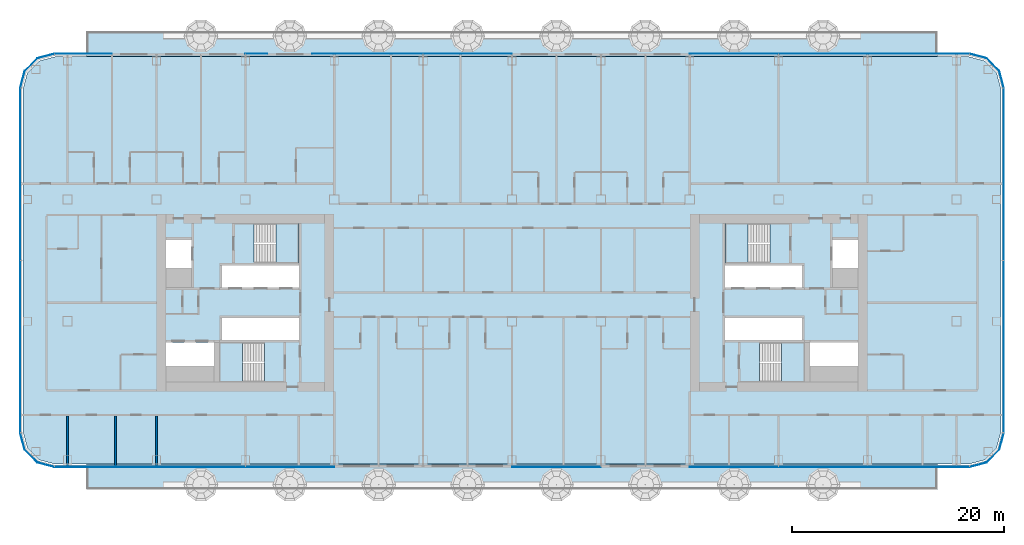
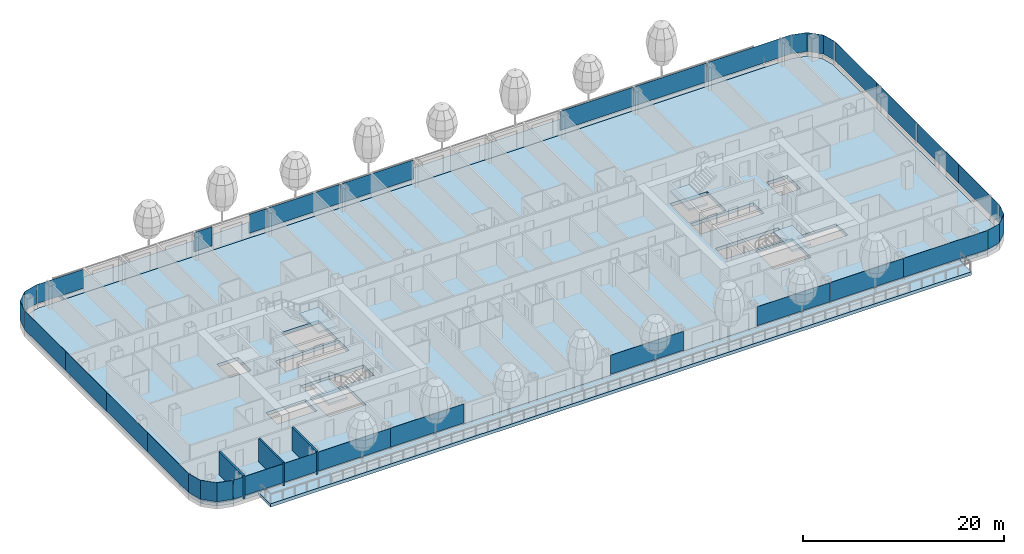
# One storey, part 12 of 34: 27 plates, 7 slabs, 3 walls, 12 elements without a shape of their own.
"""IFC4 building model written with IfcOpenShell, lengths in metres."""

from ifc_helpers import new_model, si_unit, direction, frame, frame_2d, origin, origin_2d, place, context, subcontext, project, spatial, polyline, rectangle, outline, extrude, material, layer, layer_set, type_object, element, aggregate, save


model = new_model("IFC4")

# Units and contexts
model_context = context("Model", 3, precision=1e-05, world=origin(), true_north=direction((0.0, 1.0)))
body_context = subcontext(model_context, "Body", "Model", "MODEL_VIEW")
ifc_project = project(units=[si_unit("LENGTHUNIT", "METRE"), si_unit("AREAUNIT", "SQUARE_METRE"), si_unit("VOLUMEUNIT", "CUBIC_METRE"), si_unit("PLANEANGLEUNIT", "RADIAN"), si_unit("MASSUNIT", "GRAM", prefix="KILO")], contexts=[model_context])

# Site, building, storey
site_placement = place(None, origin())
site = spatial("IfcSite", under=ifc_project, at=site_placement, CompositionType="ELEMENT")
building_placement = place(site_placement, origin())
building = spatial("IfcBuilding", under=site, at=building_placement, Name="Hakoniwa Tower and Hamabe Station Hall", CompositionType="ELEMENT")
storey_placement = place(building_placement, frame((0.0, 0.0, 94.60009765625)))
storey = spatial("IfcBuildingStorey", under=building, at=storey_placement, Name="L26", CompositionType="ELEMENT", Elevation=94.60009765625)

# Slabs
ifc_material_1 = material(Name="Concrete C42", Category="concrete")
ifc_layer_1 = layer(ifc_material_1, 0.25)
ifc_layer_set_1 = layer_set([ifc_layer_1], Name="BALCONY SLAB 250")
slab_type_1 = type_object("IfcSlabType", Name="BALCONY SLAB 250", PredefinedType="FLOOR", material=ifc_layer_set_1)
slab_1_placement = place(storey_placement, frame((0.0, 0.0, -0.400146484375)))
element("IfcSlab", 1, at=slab_1_placement, inside=storey, type_object=slab_type_1, Name="Balcony slab L26 BAL-L26-N", PredefinedType="FLOOR", context=body_context, shape_type="SweptSolid", body=[
    extrude(outline(polyline([(-40.199951171875, 23.25), (40.199951171875, 23.25), (40.199951171875, 25.64990234375), (-40.199951171875, 25.64990234375), (-40.199951171875, 23.25)])), origin(), (0.0, 0.0, 1.0), 0.400146484375),
])
slab_2_placement = place(storey_placement, frame((0.0, 0.0, -0.400146484375)))
element("IfcSlab", 2, at=slab_2_placement, inside=storey, type_object=slab_type_1, Name="Balcony slab L26 BAL-L26-S", PredefinedType="FLOOR", context=body_context, shape_type="SweptSolid", body=[
    extrude(outline(polyline([(-40.199951171875, -17.64990234375), (40.199951171875, -17.64990234375), (40.199951171875, -15.25), (-40.199951171875, -15.25), (-40.199951171875, -17.64990234375)])), origin(), (0.0, 0.0, 1.0), 0.400146484375),
])

# Stair, slab
ifc_material_2 = material(Name="Concrete C40", Category="concrete")
stair_type = type_object("IfcStairType", Name="ESCAPE STAIR 1800", PredefinedType="HALF_TURN_STAIR", material=ifc_material_2)
stair_1_placement = place(storey_placement, origin())
stair_1 = element("IfcStair", 3, at=stair_1_placement, inside=storey, type_object=stair_type, Name="Escape stair ST-1 L26", PredefinedType="HALF_TURN_STAIR")
ifc_material_3 = material(Name="Concrete C40", Category="concrete")
ifc_layer_2 = layer(ifc_material_3, 0.25)
ifc_layer_set_2 = layer_set([ifc_layer_2], Name="CORE STAIR LANDING 250")
slab_type_2 = type_object("IfcSlabType", Name="CORE STAIR LANDING 250", PredefinedType="LANDING", material=ifc_layer_set_2)
slab_3_placement = place(storey_placement, frame((0.0, 0.0, 1.349853515625)))
slab_3 = element("IfcSlab", 4, at=slab_3_placement, type_object=slab_type_2, Name="ST-1 landing 1", PredefinedType="LANDING", context=body_context, shape_type="SweptSolid", body=[
    extrude(outline(polyline([(-22.320068359375, 3.75), (-20.14990234375, 3.75), (-20.14990234375, 7.5), (-22.320068359375, 7.5), (-22.320068359375, 3.75)])), origin(), (0.0, 0.0, 1.0), 0.25),
])
aggregate(stair_1, [slab_3])

stair_2_placement = place(storey_placement, origin())
stair_2 = element("IfcStair", 5, at=stair_2_placement, inside=storey, type_object=stair_type, Name="Escape stair ST-2 L26", PredefinedType="HALF_TURN_STAIR")
slab_4_placement = place(storey_placement, frame((0.0, 0.0, 1.349853515625)))
slab_4 = element("IfcSlab", 6, at=slab_4_placement, type_object=slab_type_2, Name="ST-2 landing 1", PredefinedType="LANDING", context=body_context, shape_type="SweptSolid", body=[
    extrude(outline(polyline([(-25.47998046875, -7.5), (-27.64990234375, -7.5), (-27.64990234375, -3.75), (-25.47998046875, -3.75), (-25.47998046875, -7.5)])), origin(), (0.0, 0.0, 1.0), 0.25),
])
aggregate(stair_2, [slab_4])

stair_3_placement = place(storey_placement, origin())
stair_3 = element("IfcStair", 7, at=stair_3_placement, inside=storey, type_object=stair_type, Name="Escape stair ST-3 L26", PredefinedType="HALF_TURN_STAIR")
slab_5_placement = place(storey_placement, frame((0.0, 0.0, 1.349853515625)))
slab_5 = element("IfcSlab", 8, at=slab_5_placement, type_object=slab_type_2, Name="ST-3 landing 1", PredefinedType="LANDING", context=body_context, shape_type="SweptSolid", body=[
    extrude(outline(polyline([(22.320068359375, 3.75), (20.14990234375, 3.75), (20.14990234375, 7.5), (22.320068359375, 7.5), (22.320068359375, 3.75)])), origin(), (0.0, 0.0, 1.0), 0.25),
])
aggregate(stair_3, [slab_5])

stair_4_placement = place(storey_placement, origin())
stair_4 = element("IfcStair", 9, at=stair_4_placement, inside=storey, type_object=stair_type, Name="Escape stair ST-4 L26", PredefinedType="HALF_TURN_STAIR")
slab_6_placement = place(storey_placement, frame((0.0, 0.0, 1.349853515625)))
slab_6 = element("IfcSlab", 10, at=slab_6_placement, type_object=slab_type_2, Name="ST-4 landing 1", PredefinedType="LANDING", context=body_context, shape_type="SweptSolid", body=[
    extrude(outline(polyline([(25.47998046875, -7.5), (27.64990234375, -7.5), (27.64990234375, -3.75), (25.47998046875, -3.75), (25.47998046875, -7.5)])), origin(), (0.0, 0.0, 1.0), 0.25),
])
aggregate(stair_4, [slab_6])

# Curtain wall, plates
ifc_material_4 = material(Name="Dark low-e laminated glass", Category="glass")
ifc_layer_3 = layer(ifc_material_4, 0.199951171875)
ifc_layer_set_3 = layer_set([ifc_layer_3], Name="CW-1 UNITISED GUEST")
curtain_wall_type = type_object("IfcCurtainWallType", Name="CW-1 UNITISED GUEST", PredefinedType="NOTDEFINED", material=ifc_layer_set_3)
curtain_wall_1_placement = place(storey_placement, origin())
curtain_wall_1 = element("IfcCurtainWall", 11, at=curtain_wall_1_placement, inside=storey, type_object=curtain_wall_type, Name="CW-1 curtain wall", PredefinedType="NOTDEFINED")
ifc_material_5 = material(Name="Dark low-e laminated glass", Category="glass")
ifc_layer_4 = layer(ifc_material_5, 0.028076171875)
ifc_layer_set_4 = layer_set([ifc_layer_4], Name="CW-1 GLASS UNIT")
plate_type = type_object("IfcPlateType", Name="CW-1 GLASS UNIT", PredefinedType="CURTAIN_PANEL", material=ifc_layer_set_4)
plate_1_placement = place(storey_placement, frame((46.486083984375, -8.217041015625, 0.35009765625), z_axis=(0.0, 0.0, 1.0), x_axis=(0.0, 1.0, 0.0)))
plate_1 = element("IfcPlate", 12, at=plate_1_placement, type_object=plate_type, Name="CW-1 glass unit", PredefinedType="CURTAIN_PANEL", context=body_context, shape_type="SweptSolid", body=[
    extrude(rectangle(XDim=8.124755859375, YDim=0.028076171875, at=origin_2d()), origin(), (0.0, 0.0, 1.0), 2.300048828125),
])
plate_2_placement = place(storey_placement, frame((46.486083984375, -0.072265625, 0.35009765625), z_axis=(0.0, 0.0, 1.0), x_axis=(0.0, 1.0, 0.0)))
plate_2 = element("IfcPlate", 13, at=plate_2_placement, type_object=plate_type, Name="CW-1 glass unit", PredefinedType="CURTAIN_PANEL", context=body_context, shape_type="SweptSolid", body=[
    extrude(rectangle(XDim=8.124755859375, YDim=0.028076171875, at=origin_2d()), origin(), (0.0, 0.0, 1.0), 2.300048828125),
])
plate_3_placement = place(storey_placement, frame((46.486083984375, 8.072265625, 0.35009765625), z_axis=(0.0, 0.0, 1.0), x_axis=(0.0, 1.0, 0.0)))
plate_3 = element("IfcPlate", 14, at=plate_3_placement, type_object=plate_type, Name="CW-1 glass unit", PredefinedType="CURTAIN_PANEL", context=body_context, shape_type="SweptSolid", body=[
    extrude(rectangle(XDim=8.124755859375, YDim=0.028076171875, at=origin_2d()), origin(), (0.0, 0.0, 1.0), 2.300048828125),
])
plate_4_placement = place(storey_placement, frame((46.486083984375, 16.217041015625, 0.35009765625), z_axis=(0.0, 0.0, 1.0), x_axis=(0.0, 1.0, 0.0)))
plate_4 = element("IfcPlate", 15, at=plate_4_placement, type_object=plate_type, Name="CW-1 glass unit", PredefinedType="CURTAIN_PANEL", context=body_context, shape_type="SweptSolid", body=[
    extrude(rectangle(XDim=8.124755859375, YDim=0.028076171875, at=origin_2d()), origin(), (0.0, 0.0, 1.0), 2.300048828125),
])
aggregate(curtain_wall_1, [plate_1, plate_2, plate_3, plate_4])

# Curtain wall, plate
curtain_wall_2_placement = place(storey_placement, origin())
curtain_wall_2 = element("IfcCurtainWall", 16, at=curtain_wall_2_placement, inside=storey, type_object=curtain_wall_type, Name="CW-1 curtain wall", PredefinedType="NOTDEFINED")
plate_5_placement = place(storey_placement, frame((0.0, 0.0, 0.349853515625)))
plate_5 = element("IfcPlate", 17, at=plate_5_placement, type_object=plate_type, Name="CW-1 curved corner unit", PredefinedType="CURTAIN_PANEL", context=body_context, shape_type="SweptSolid", body=[
    extrude(outline(polyline([(46.48974609375, 20.328125), (46.067138671875, 21.9052734375), (44.855224609375, 23.116943359375), (43.278076171875, 23.53955078125), (43.27099609375, 23.5126953125), (44.8408203125, 23.092041015625), (46.0419921875, 21.890869140625), (46.462646484375, 20.32080078125), (46.48974609375, 20.328125)])), origin(), (0.0, 0.0, 1.0), 2.300048828125),
])
aggregate(curtain_wall_2, [plate_5])

# Curtain wall, plates
curtain_wall_3_placement = place(storey_placement, origin())
curtain_wall_3 = element("IfcCurtainWall", 18, at=curtain_wall_3_placement, inside=storey, type_object=curtain_wall_type, Name="CW-1 curtain wall", PredefinedType="NOTDEFINED")
plate_6_placement = place(storey_placement, frame((38.419677734375, 23.535888671875, 0.35009765625), z_axis=(0.0, 0.0, 1.0), x_axis=(-1.0, 0.0, 0.0)))
plate_6 = element("IfcPlate", 19, at=plate_6_placement, type_object=plate_type, Name="CW-1 glass unit", PredefinedType="CURTAIN_PANEL", context=body_context, shape_type="SweptSolid", body=[
    extrude(rectangle(XDim=9.619384765625, YDim=0.028076171875, at=origin_2d()), origin(), (0.0, 0.0, 1.0), 2.300048828125),
])
plate_7_placement = place(storey_placement, frame((29.39990234375, 23.535888671875, 0.35009765625), z_axis=(0.0, 0.0, 1.0), x_axis=(-1.0, 0.0, 0.0)))
plate_7 = element("IfcPlate", 20, at=plate_7_placement, type_object=plate_type, Name="CW-1 glass unit", PredefinedType="CURTAIN_PANEL", context=body_context, shape_type="SweptSolid", body=[
    extrude(rectangle(XDim=8.3798828125, YDim=0.028076171875, at=origin_2d()), origin(), (0.0, 0.0, 1.0), 2.300048828125),
])
plate_8_placement = place(storey_placement, frame((21.0, 23.535888671875, 0.35009765625), z_axis=(0.0, 0.0, 1.0), x_axis=(-1.0, 0.0, 0.0)))
plate_8 = element("IfcPlate", 21, at=plate_8_placement, type_object=plate_type, Name="CW-1 glass unit", PredefinedType="CURTAIN_PANEL", context=body_context, shape_type="SweptSolid", body=[
    extrude(rectangle(XDim=8.3798828125, YDim=0.028076171875, at=origin_2d()), origin(), (0.0, 0.0, 1.0), 2.300048828125),
])
plate_9_placement = place(storey_placement, frame((-4.199951171875, 23.535888671875, 0.35009765625), z_axis=(0.0, 0.0, 1.0), x_axis=(-1.0, 0.0, 0.0)))
plate_9 = element("IfcPlate", 22, at=plate_9_placement, type_object=plate_type, Name="CW-1 glass unit", PredefinedType="CURTAIN_PANEL", context=body_context, shape_type="SweptSolid", body=[
    extrude(rectangle(XDim=8.3798828125, YDim=0.028076171875, at=origin_2d()), origin(), (0.0, 0.0, 1.0), 2.300048828125),
])
plate_10_placement = place(storey_placement, frame((-12.60009765625, 23.535888671875, 0.35009765625), z_axis=(0.0, 0.0, 1.0), x_axis=(-1.0, 0.0, 0.0)))
plate_10 = element("IfcPlate", 23, at=plate_10_placement, type_object=plate_type, Name="CW-1 glass unit", PredefinedType="CURTAIN_PANEL", context=body_context, shape_type="SweptSolid", body=[
    extrude(rectangle(XDim=8.3798828125, YDim=0.028076171875, at=origin_2d()), origin(), (0.0, 0.0, 1.0), 2.300048828125),
])
plate_11_placement = place(storey_placement, frame((-17.85009765625, 23.535888671875, 0.35009765625), z_axis=(0.0, 0.0, 1.0), x_axis=(-1.0, 0.0, 0.0)))
plate_11 = element("IfcPlate", 24, at=plate_11_placement, type_object=plate_type, Name="CW-1 glass unit", PredefinedType="CURTAIN_PANEL", context=body_context, shape_type="SweptSolid", body=[
    extrude(rectangle(XDim=2.080078125, YDim=0.028076171875, at=origin_2d()), origin(), (0.0, 0.0, 1.0), 2.300048828125),
])
plate_12_placement = place(storey_placement, frame((-24.14990234375, 23.535888671875, 0.35009765625), z_axis=(0.0, 0.0, 1.0), x_axis=(-1.0, 0.0, 0.0)))
plate_12 = element("IfcPlate", 25, at=plate_12_placement, type_object=plate_type, Name="CW-1 glass unit", PredefinedType="CURTAIN_PANEL", context=body_context, shape_type="SweptSolid", body=[
    extrude(rectangle(XDim=2.080078125, YDim=0.028076171875, at=origin_2d()), origin(), (0.0, 0.0, 1.0), 2.300048828125),
])
plate_13_placement = place(storey_placement, frame((-40.53466796875, 23.535888671875, 0.35009765625), z_axis=(0.0, 0.0, 1.0), x_axis=(-1.0, 0.0, 0.0)))
plate_13 = element("IfcPlate", 26, at=plate_13_placement, type_object=plate_type, Name="CW-1 glass unit", PredefinedType="CURTAIN_PANEL", context=body_context, shape_type="SweptSolid", body=[
    extrude(rectangle(XDim=5.389404296875, YDim=0.028076171875, at=origin_2d()), origin(), (0.0, 0.0, 1.0), 2.300048828125),
])
aggregate(curtain_wall_3, [plate_6, plate_7, plate_8, plate_9, plate_10, plate_11, plate_12, plate_13])

# Curtain wall, plate
curtain_wall_4_placement = place(storey_placement, origin())
curtain_wall_4 = element("IfcCurtainWall", 27, at=curtain_wall_4_placement, inside=storey, type_object=curtain_wall_type, Name="CW-1 curtain wall", PredefinedType="NOTDEFINED")
plate_14_placement = place(storey_placement, frame((0.0, 0.0, 0.349853515625)))
plate_14 = element("IfcPlate", 28, at=plate_14_placement, type_object=plate_type, Name="CW-1 curved corner unit", PredefinedType="CURTAIN_PANEL", context=body_context, shape_type="SweptSolid", body=[
    extrude(outline(polyline([(-43.278076171875, 23.53955078125), (-44.855224609375, 23.116943359375), (-46.067138671875, 21.9052734375), (-46.48974609375, 20.328125), (-46.462646484375, 20.32080078125), (-46.0419921875, 21.890869140625), (-44.8408203125, 23.092041015625), (-43.27099609375, 23.5126953125), (-43.278076171875, 23.53955078125)])), origin(), (0.0, 0.0, 1.0), 2.300048828125),
])
aggregate(curtain_wall_4, [plate_14])

# Curtain wall, plates
curtain_wall_5_placement = place(storey_placement, origin())
curtain_wall_5 = element("IfcCurtainWall", 29, at=curtain_wall_5_placement, inside=storey, type_object=curtain_wall_type, Name="CW-1 curtain wall", PredefinedType="NOTDEFINED")
plate_15_placement = place(storey_placement, frame((-46.486083984375, 16.217041015625, 0.35009765625), z_axis=(0.0, 0.0, 1.0), x_axis=(0.0, -1.0, 0.0)))
plate_15 = element("IfcPlate", 30, at=plate_15_placement, type_object=plate_type, Name="CW-1 glass unit", PredefinedType="CURTAIN_PANEL", context=body_context, shape_type="SweptSolid", body=[
    extrude(rectangle(XDim=8.124755859375, YDim=0.028076171875, at=origin_2d()), origin(), (0.0, 0.0, 1.0), 2.300048828125),
])
plate_16_placement = place(storey_placement, frame((-46.486083984375, 8.072265625, 0.35009765625), z_axis=(0.0, 0.0, 1.0), x_axis=(0.0, -1.0, 0.0)))
plate_16 = element("IfcPlate", 31, at=plate_16_placement, type_object=plate_type, Name="CW-1 glass unit", PredefinedType="CURTAIN_PANEL", context=body_context, shape_type="SweptSolid", body=[
    extrude(rectangle(XDim=8.124755859375, YDim=0.028076171875, at=origin_2d()), origin(), (0.0, 0.0, 1.0), 2.300048828125),
])
plate_17_placement = place(storey_placement, frame((-46.486083984375, -0.072265625, 0.35009765625), z_axis=(0.0, 0.0, 1.0), x_axis=(0.0, -1.0, 0.0)))
plate_17 = element("IfcPlate", 32, at=plate_17_placement, type_object=plate_type, Name="CW-1 glass unit", PredefinedType="CURTAIN_PANEL", context=body_context, shape_type="SweptSolid", body=[
    extrude(rectangle(XDim=8.124755859375, YDim=0.028076171875, at=origin_2d()), origin(), (0.0, 0.0, 1.0), 2.300048828125),
])
plate_18_placement = place(storey_placement, frame((-46.486083984375, -8.217041015625, 0.35009765625), z_axis=(0.0, 0.0, 1.0), x_axis=(0.0, -1.0, 0.0)))
plate_18 = element("IfcPlate", 33, at=plate_18_placement, type_object=plate_type, Name="CW-1 glass unit", PredefinedType="CURTAIN_PANEL", context=body_context, shape_type="SweptSolid", body=[
    extrude(rectangle(XDim=8.124755859375, YDim=0.028076171875, at=origin_2d()), origin(), (0.0, 0.0, 1.0), 2.300048828125),
])
aggregate(curtain_wall_5, [plate_15, plate_16, plate_17, plate_18])

# Curtain wall, plate
curtain_wall_6_placement = place(storey_placement, origin())
curtain_wall_6 = element("IfcCurtainWall", 34, at=curtain_wall_6_placement, inside=storey, type_object=curtain_wall_type, Name="CW-1 curtain wall", PredefinedType="NOTDEFINED")
plate_19_placement = place(storey_placement, frame((0.0, 0.0, 0.349853515625)))
plate_19 = element("IfcPlate", 35, at=plate_19_placement, type_object=plate_type, Name="CW-1 curved corner unit", PredefinedType="CURTAIN_PANEL", context=body_context, shape_type="SweptSolid", body=[
    extrude(outline(polyline([(-46.48974609375, -12.328125), (-46.067138671875, -13.9052734375), (-44.855224609375, -15.116943359375), (-43.278076171875, -15.53955078125), (-43.27099609375, -15.5126953125), (-44.8408203125, -15.092041015625), (-46.0419921875, -13.890869140625), (-46.462646484375, -12.32080078125), (-46.48974609375, -12.328125)])), origin(), (0.0, 0.0, 1.0), 2.300048828125),
])
aggregate(curtain_wall_6, [plate_19])

# Curtain wall, plates
curtain_wall_7_placement = place(storey_placement, origin())
curtain_wall_7 = element("IfcCurtainWall", 36, at=curtain_wall_7_placement, inside=storey, type_object=curtain_wall_type, Name="CW-1 curtain wall", PredefinedType="NOTDEFINED")
plate_20_placement = place(storey_placement, frame((-38.419677734375, -15.535888671875, 0.35009765625), z_axis=(0.0, 0.0, 1.0), x_axis=(1.0, 0.0, 0.0)))
plate_20 = element("IfcPlate", 37, at=plate_20_placement, type_object=plate_type, Name="CW-1 glass unit", PredefinedType="CURTAIN_PANEL", context=body_context, shape_type="SweptSolid", body=[
    extrude(rectangle(XDim=9.619384765625, YDim=0.028076171875, at=origin_2d()), origin(), (0.0, 0.0, 1.0), 2.300048828125),
])
plate_21_placement = place(storey_placement, frame((-29.39990234375, -15.535888671875, 0.35009765625), z_axis=(0.0, 0.0, 1.0), x_axis=(1.0, 0.0, 0.0)))
plate_21 = element("IfcPlate", 38, at=plate_21_placement, type_object=plate_type, Name="CW-1 glass unit", PredefinedType="CURTAIN_PANEL", context=body_context, shape_type="SweptSolid", body=[
    extrude(rectangle(XDim=8.3798828125, YDim=0.028076171875, at=origin_2d()), origin(), (0.0, 0.0, 1.0), 2.300048828125),
])
plate_22_placement = place(storey_placement, frame((-21.0, -15.535888671875, 0.35009765625), z_axis=(0.0, 0.0, 1.0), x_axis=(1.0, 0.0, 0.0)))
plate_22 = element("IfcPlate", 39, at=plate_22_placement, type_object=plate_type, Name="CW-1 glass unit", PredefinedType="CURTAIN_PANEL", context=body_context, shape_type="SweptSolid", body=[
    extrude(rectangle(XDim=8.3798828125, YDim=0.028076171875, at=origin_2d()), origin(), (0.0, 0.0, 1.0), 2.300048828125),
])
plate_23_placement = place(storey_placement, frame((4.199951171875, -15.535888671875, 0.35009765625), z_axis=(0.0, 0.0, 1.0), x_axis=(1.0, 0.0, 0.0)))
plate_23 = element("IfcPlate", 40, at=plate_23_placement, type_object=plate_type, Name="CW-1 glass unit", PredefinedType="CURTAIN_PANEL", context=body_context, shape_type="SweptSolid", body=[
    extrude(rectangle(XDim=8.3798828125, YDim=0.028076171875, at=origin_2d()), origin(), (0.0, 0.0, 1.0), 2.300048828125),
])
plate_24_placement = place(storey_placement, frame((21.0, -15.535888671875, 0.35009765625), z_axis=(0.0, 0.0, 1.0), x_axis=(1.0, 0.0, 0.0)))
plate_24 = element("IfcPlate", 41, at=plate_24_placement, type_object=plate_type, Name="CW-1 glass unit", PredefinedType="CURTAIN_PANEL", context=body_context, shape_type="SweptSolid", body=[
    extrude(rectangle(XDim=8.3798828125, YDim=0.028076171875, at=origin_2d()), origin(), (0.0, 0.0, 1.0), 2.300048828125),
])
plate_25_placement = place(storey_placement, frame((29.39990234375, -15.535888671875, 0.35009765625), z_axis=(0.0, 0.0, 1.0), x_axis=(1.0, 0.0, 0.0)))
plate_25 = element("IfcPlate", 42, at=plate_25_placement, type_object=plate_type, Name="CW-1 glass unit", PredefinedType="CURTAIN_PANEL", context=body_context, shape_type="SweptSolid", body=[
    extrude(rectangle(XDim=8.3798828125, YDim=0.028076171875, at=origin_2d()), origin(), (0.0, 0.0, 1.0), 2.300048828125),
])
plate_26_placement = place(storey_placement, frame((38.419677734375, -15.535888671875, 0.35009765625), z_axis=(0.0, 0.0, 1.0), x_axis=(1.0, 0.0, 0.0)))
plate_26 = element("IfcPlate", 43, at=plate_26_placement, type_object=plate_type, Name="CW-1 glass unit", PredefinedType="CURTAIN_PANEL", context=body_context, shape_type="SweptSolid", body=[
    extrude(rectangle(XDim=9.619384765625, YDim=0.028076171875, at=origin_2d()), origin(), (0.0, 0.0, 1.0), 2.300048828125),
])
aggregate(curtain_wall_7, [plate_20, plate_21, plate_22, plate_23, plate_24, plate_25, plate_26])

# Curtain wall, plate
curtain_wall_8_placement = place(storey_placement, origin())
curtain_wall_8 = element("IfcCurtainWall", 44, at=curtain_wall_8_placement, inside=storey, type_object=curtain_wall_type, Name="CW-1 curtain wall", PredefinedType="NOTDEFINED")
plate_27_placement = place(storey_placement, frame((0.0, 0.0, 0.349853515625)))
plate_27 = element("IfcPlate", 45, at=plate_27_placement, type_object=plate_type, Name="CW-1 curved corner unit", PredefinedType="CURTAIN_PANEL", context=body_context, shape_type="SweptSolid", body=[
    extrude(outline(polyline([(43.278076171875, -15.53955078125), (44.855224609375, -15.116943359375), (46.067138671875, -13.9052734375), (46.48974609375, -12.328125), (46.462646484375, -12.32080078125), (46.0419921875, -13.890869140625), (44.8408203125, -15.092041015625), (43.27099609375, -15.5126953125), (43.278076171875, -15.53955078125)])), origin(), (0.0, 0.0, 1.0), 2.300048828125),
])
aggregate(curtain_wall_8, [plate_27])

# Slab
ifc_material_6 = material(Name="Concrete C42", Category="concrete")
ifc_layer_5 = layer(ifc_material_6, 0.39990234375)
ifc_layer_set_5 = layer_set([ifc_layer_5], Name="PT FLAT PLATE 400")
slab_type_3 = type_object("IfcSlabType", Name="PT FLAT PLATE 400", PredefinedType="FLOOR", material=ifc_layer_set_5)
slab_7_placement = place(storey_placement, frame((0.0, 0.0, -0.400146484375)))
element("IfcSlab", 46, at=slab_7_placement, inside=storey, type_object=slab_type_3, Name="Floor slab L26", PredefinedType="FLOOR", context=body_context, shape_type="SweptSolid", body=[
    extrude(outline(polyline([(46.199951171875, -12.25), (46.199951171875, 20.25), (45.798095703125, 21.75), (44.699951171875, 22.84814453125), (43.199951171875, 23.25), (-43.199951171875, 23.25), (-44.699951171875, 22.84814453125), (-45.798095703125, 21.75), (-46.199951171875, 20.25), (-46.199951171875, -12.25), (-45.798095703125, -13.75), (-44.699951171875, -14.84814453125), (-43.199951171875, -15.25), (43.199951171875, -15.25), (44.699951171875, -14.84814453125), (45.798095703125, -13.75), (46.199951171875, -12.25)]), holes=[polyline([(-27.39990234375, 1.449951171875), (-27.39990234375, 3.5), (-20.14990234375, 3.5), (-20.14990234375, 1.449951171875), (-27.39990234375, 1.449951171875)]), polyline([(-27.39990234375, -3.5), (-27.39990234375, -1.449951171875), (-20.14990234375, -1.449951171875), (-20.14990234375, -3.5), (-27.39990234375, -3.5)]), polyline([(-32.699951171875, 3.300048828125), (-32.699951171875, 5.949951171875), (-30.300048828125, 5.949951171875), (-30.300048828125, 3.300048828125), (-32.699951171875, 3.300048828125)]), polyline([(-32.699951171875, -6.0), (-32.699951171875, -3.75), (-28.14990234375, -3.75), (-28.14990234375, -6.0), (-32.699951171875, -6.0)]), polyline([(-24.389892578125, 3.75), (-24.389892578125, 7.5), (-20.14990234375, 7.5), (-20.14990234375, 3.75), (-24.389892578125, 3.75)]), polyline([(-27.64990234375, -7.5), (-27.64990234375, -3.75), (-23.409912109375, -3.75), (-23.409912109375, -7.5), (-27.64990234375, -7.5)]), polyline([(20.14990234375, 1.449951171875), (20.14990234375, 3.5), (27.39990234375, 3.5), (27.39990234375, 1.449951171875), (20.14990234375, 1.449951171875)]), polyline([(20.14990234375, -3.5), (20.14990234375, -1.449951171875), (27.39990234375, -1.449951171875), (27.39990234375, -3.5), (20.14990234375, -3.5)]), polyline([(30.300048828125, 3.300048828125), (30.300048828125, 5.949951171875), (32.699951171875, 5.949951171875), (32.699951171875, 3.300048828125), (30.300048828125, 3.300048828125)]), polyline([(28.14990234375, -6.0), (28.14990234375, -3.75), (32.699951171875, -3.75), (32.699951171875, -6.0), (28.14990234375, -6.0)]), polyline([(20.14990234375, 3.75), (20.14990234375, 7.5), (24.389892578125, 7.5), (24.389892578125, 3.75), (20.14990234375, 3.75)]), polyline([(23.409912109375, -7.5), (23.409912109375, -3.75), (27.64990234375, -3.75), (27.64990234375, -7.5), (23.409912109375, -7.5)])]), origin(), (0.0, 0.0, 1.0), 0.400146484375),
])

# Walls
ifc_material_7 = material(Name="Fire-rated gypsum board partition", Category="gypsum")
ifc_layer_6 = layer(ifc_material_7, 0.199951171875)
ifc_layer_set_6 = layer_set([ifc_layer_6], Name="Party Wall 200")
wall_type = type_object("IfcWallType", Name="Party Wall 200", PredefinedType="PARTITIONING", material=ifc_layer_set_6)
for number, where, z_axis, x_axis, name in (
    (47, (-42.0, -15.550048828125, 0.0), (0.0, 0.0, 1.0), (0.0, 1.0, 0.0), "GW-L26-032"),
    (48, (-37.4599609375, -15.550048828125, 0.0), (0.0, 0.0, 1.0), (0.0, 1.0, 0.0), "GW-L26-038"),
    (49, (-33.60009765625, -15.550048828125, 0.0), (0.0, 0.0, 1.0), (0.0, 1.0, 0.0), "GW-L26-041"),
):
    element("IfcWall", number, at=place(storey_placement, frame(where, z_axis=z_axis, x_axis=x_axis)), inside=storey, type_object=wall_type, Name=name, PredefinedType="PARTITIONING", context=body_context, shape_type="SweptSolid", body=[
        extrude(rectangle(XDim=4.85009765625, YDim=0.199951171875, at=frame_2d((2.425048828125, 0.0))), origin(), (0.0, 0.0, 1.0), 2.7998046875),
    ])

save(model, "model.ifc")
